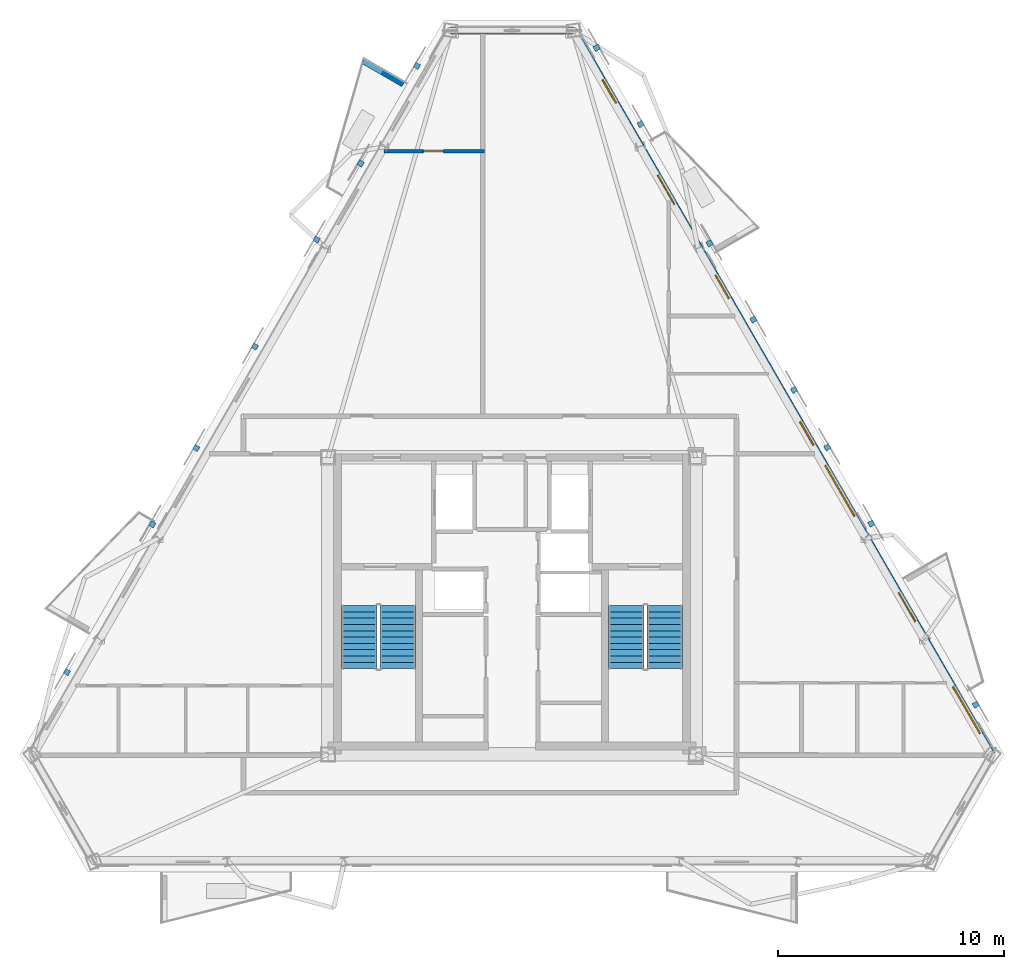
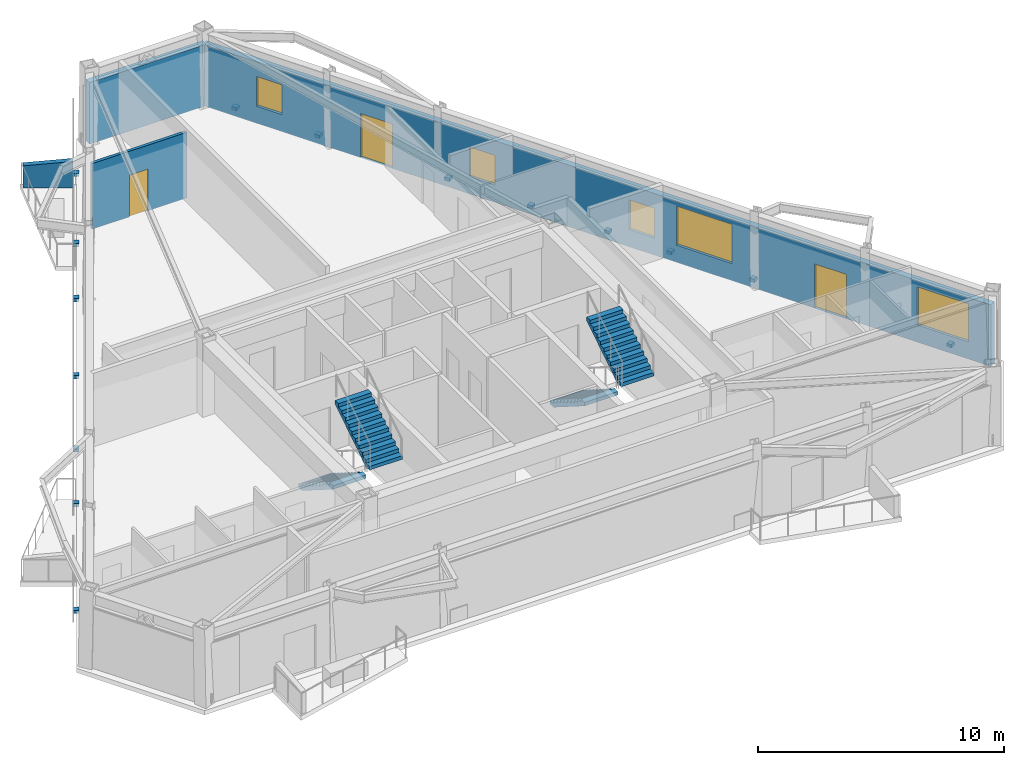
# One storey, part 5 of 9: 15 discrete accessories, 5 windows, 4 stair flights, 4 walls, 3 doors, 8 openings, 2 elements without a shape of their own.
"""IFC4 building model written with IfcOpenShell, lengths in metres."""

from ifc_helpers import new_model, si_unit, direction, frame, frame_2d, origin, origin_2d, place, context, subcontext, project, spatial, polyline, rectangle, outline, extrude, material, layer, layer_set, type_object, element, fill, aggregate, save


model = new_model("IFC4")

# Units and contexts
model_context = context("Model", 3, precision=1e-05, world=origin(), true_north=direction((0.0, 1.0)))
body_context = subcontext(model_context, "Body", "Model", "MODEL_VIEW")
ifc_project = project(units=[si_unit("LENGTHUNIT", "METRE"), si_unit("AREAUNIT", "SQUARE_METRE"), si_unit("VOLUMEUNIT", "CUBIC_METRE"), si_unit("PLANEANGLEUNIT", "RADIAN"), si_unit("MASSUNIT", "GRAM", prefix="KILO")], contexts=[model_context])

# Site, building, storey
site_placement = place(None, origin())
site = spatial("IfcSite", under=ifc_project, at=site_placement, CompositionType="ELEMENT")
building_placement = place(site_placement, origin())
building = spatial("IfcBuilding", under=site, at=building_placement, Name="Oramaril Tower", CompositionType="ELEMENT")
storey_placement = place(building_placement, frame((0.0, 0.0, 249.89990234375)))
storey = spatial("IfcBuildingStorey", under=building, at=storey_placement, Name="L66", CompositionType="ELEMENT", Elevation=249.89990234375)

# Wall, openings, doors, windows
ifc_material_1 = material(Name="Warm Cream Limestone", Category="masonry")
ifc_layer_1 = layer(ifc_material_1, 0.2900390625)
ifc_layer_set_1 = layer_set([ifc_layer_1], Name="WT-EXT29")
wall_type_1 = type_object("IfcWallType", Name="WT-EXT29", PredefinedType="SOLIDWALL", material=ifc_layer_set_1)
wall_1_placement = place(storey_placement, frame((58.7744140625, 10.990478515625, 0.0), z_axis=(0.0, 0.0, 1.0), x_axis=(-0.499994896969, 0.866028350001, 0.0)))
wall_1 = element("IfcWall", 1, at=wall_1_placement, inside=storey, type_object=wall_type_1, Name="L66 Tower Limestone Facade Wall 4M", PredefinedType="SOLIDWALL", context=body_context, shape_type="SweptSolid", body=[
    extrude(rectangle(XDim=37.052734375, YDim=0.2900390625, at=frame_2d((18.5263671875, 0.0))), origin(), (0.0, 0.0, 1.0), 3.05810546875),
])
opening_1_placement = place(wall_1_placement, frame((6.789306640625, 0.0, 0.0)))
opening_1 = element("IfcOpeningElement", 2, at=opening_1_placement, cuts=wall_1, Name="Opening D-L66-BAL-NE1", PredefinedType="OPENING", context=body_context, shape_type="SweptSolid", body=[
    extrude(rectangle(XDim=1.5, YDim=2.199951171875, at=frame_2d((0.75, 1.10009765625))), frame((0.0, 0.14501953125, 0.0), z_axis=(0.0, -1.0, 0.0), x_axis=(1.0, 0.0, 0.0)), (0.0, 0.0, 1.0), 0.2900390625),
])
opening_2_placement = place(wall_1_placement, frame((28.148193359375, 0.0, 0.0)))
opening_2 = element("IfcOpeningElement", 3, at=opening_2_placement, cuts=wall_1, Name="Opening D-L66-BAL-NE2", PredefinedType="OPENING", context=body_context, shape_type="SweptSolid", body=[
    extrude(rectangle(XDim=1.5, YDim=2.199951171875, at=frame_2d((0.75, 1.10009765625))), frame((0.0, 0.14501953125, 0.0), z_axis=(0.0, -1.0, 0.0), x_axis=(1.0, 0.0, 0.0)), (0.0, 0.0, 1.0), 0.2900390625),
])
opening_3_placement = place(wall_1_placement, frame((12.18408203125, 0.0, 0.85009765625)))
opening_3 = element("IfcOpeningElement", 4, at=opening_3_placement, cuts=wall_1, Name="Opening WN-02", PredefinedType="OPENING", context=body_context, shape_type="SweptSolid", body=[
    extrude(rectangle(XDim=2.60009765625, YDim=1.949951171875, at=frame_2d((1.300048828125, 0.97509765625))), frame((0.0, 0.14501953125, 0.0), z_axis=(0.0, -1.0, 0.0), x_axis=(1.0, 0.0, 0.0)), (0.0, 0.0, 1.0), 0.2900390625),
])
opening_4_placement = place(wall_1_placement, frame((1.06591796875, 0.0, 0.85009765625)))
opening_4 = element("IfcOpeningElement", 5, at=opening_4_placement, cuts=wall_1, Name="Opening WN-03", PredefinedType="OPENING", context=body_context, shape_type="SweptSolid", body=[
    extrude(rectangle(XDim=2.39990234375, YDim=1.89990234375, at=frame_2d((1.199951171875, 0.949951171875))), frame((0.0, 0.14501953125, 0.0), z_axis=(0.0, -1.0, 0.0), x_axis=(1.0, 0.0, 0.0)), (0.0, 0.0, 1.0), 0.2900390625),
])
opening_5_placement = place(wall_1_placement, frame((33.328125, 0.0, 0.85009765625)))
opening_5 = element("IfcOpeningElement", 6, at=opening_5_placement, cuts=wall_1, Name="Opening WN-09", PredefinedType="OPENING", context=body_context, shape_type="SweptSolid", body=[
    extrude(rectangle(XDim=1.199951171875, YDim=1.47998046875, at=frame_2d((0.60009765625, 0.739990234375))), frame((0.0, 0.14501953125, 0.0), z_axis=(0.0, -1.0, 0.0), x_axis=(1.0, 0.0, 0.0)), (0.0, 0.0, 1.0), 0.2900390625),
])
opening_6_placement = place(wall_1_placement, frame((15.82177734375, 0.0, 0.85009765625)))
opening_6 = element("IfcOpeningElement", 7, at=opening_6_placement, cuts=wall_1, Name="Opening WN-09", PredefinedType="OPENING", context=body_context, shape_type="SweptSolid", body=[
    extrude(rectangle(XDim=1.199951171875, YDim=1.47998046875, at=frame_2d((0.60009765625, 0.739990234375))), frame((0.0, 0.14501953125, 0.0), z_axis=(0.0, -1.0, 0.0), x_axis=(1.0, 0.0, 0.0)), (0.0, 0.0, 1.0), 0.2900390625),
])
opening_7_placement = place(wall_1_placement, frame((23.3271484375, 0.0, 0.85009765625)))
opening_7 = element("IfcOpeningElement", 8, at=opening_7_placement, cuts=wall_1, Name="Opening WN-09", PredefinedType="OPENING", context=body_context, shape_type="SweptSolid", body=[
    extrude(rectangle(XDim=1.199951171875, YDim=1.47998046875, at=frame_2d((0.60009765625, 0.739990234375))), frame((0.0, 0.14501953125, 0.0), z_axis=(0.0, -1.0, 0.0), x_axis=(1.0, 0.0, 0.0)), (0.0, 0.0, 1.0), 0.2900390625),
])
ifc_material_2 = material(Name="Anodised Aluminium 6063-T6", Category="aluminium")
door_type_1 = type_object("IfcDoorType", Name="DT-BAL", OperationType="NOTDEFINED", PredefinedType="DOOR", material=ifc_material_2)
door_1_placement = place(opening_1_placement, origin())
door_1 = element("IfcDoor", 9, at=door_1_placement, inside=storey, type_object=door_type_1, Name="L66 Balcony Glazed Door L66-BAL-NE1", OperationType="SINGLE_SWING_LEFT", OverallHeight=2.199951171875, OverallWidth=1.5, PredefinedType="DOOR", context=body_context, shape_type="SweptSolid", body=[
    extrude(rectangle(XDim=1.5, YDim=2.199951171875, at=frame_2d((0.75, 1.10009765625))), frame((0.0, 0.02490234375, 0.0), z_axis=(0.0, -1.0, 0.0), x_axis=(1.0, 0.0, 0.0)), (0.0, 0.0, 1.0), 0.050048828125),
])
fill(opening_1, door_1)
door_2_placement = place(opening_2_placement, origin())
door_2 = element("IfcDoor", 10, at=door_2_placement, inside=storey, type_object=door_type_1, Name="L66 Balcony Glazed Door L66-BAL-NE2", OperationType="SINGLE_SWING_RIGHT", OverallHeight=2.199951171875, OverallWidth=1.5, PredefinedType="DOOR", context=body_context, shape_type="SweptSolid", body=[
    extrude(rectangle(XDim=1.5, YDim=2.199951171875, at=frame_2d((0.75, 1.10009765625))), frame((0.0, 0.02490234375, 0.0), z_axis=(0.0, -1.0, 0.0), x_axis=(1.0, 0.0, 0.0)), (0.0, 0.0, 1.0), 0.050048828125),
])
fill(opening_2, door_2)
ifc_material_3 = material(Name="Coastal Low-E Insulated Glass", Category="glass")
window_type_1 = type_object("IfcWindowType", Name="WNT-02", PartitioningType="SINGLE_PANEL", PredefinedType="WINDOW", material=ifc_material_3)
window_1_placement = place(opening_3_placement, origin())
window_1 = element("IfcWindow", 11, at=window_1_placement, inside=storey, type_object=window_type_1, Name="L66 Chicago Bay Window WN-02", OverallHeight=1.949951171875, OverallWidth=2.60009765625, PartitioningType="SINGLE_PANEL", PredefinedType="WINDOW", context=body_context, shape_type="SweptSolid", body=[
    extrude(rectangle(XDim=2.60009765625, YDim=1.949951171875, at=frame_2d((1.300048828125, 0.97509765625))), frame((0.0, 0.030029296875, 0.0), z_axis=(0.0, -1.0, 0.0), x_axis=(1.0, 0.0, 0.0)), (0.0, 0.0, 1.0), 0.06005859375),
])
fill(opening_3, window_1)
ifc_material_4 = material(Name="Coastal Low-E Insulated Glass", Category="glass")
window_type_2 = type_object("IfcWindowType", Name="WNT-03", PartitioningType="SINGLE_PANEL", PredefinedType="WINDOW", material=ifc_material_4)
window_2_placement = place(opening_4_placement, origin())
window_2 = element("IfcWindow", 12, at=window_2_placement, inside=storey, type_object=window_type_2, Name="L66 Chicago Bay Window WN-03", OverallHeight=1.89990234375, OverallWidth=2.39990234375, PartitioningType="SINGLE_PANEL", PredefinedType="WINDOW", context=body_context, shape_type="SweptSolid", body=[
    extrude(rectangle(XDim=2.39990234375, YDim=1.89990234375, at=frame_2d((1.199951171875, 0.949951171875))), frame((0.0, 0.030029296875, 0.0), z_axis=(0.0, -1.0, 0.0), x_axis=(1.0, 0.0, 0.0)), (0.0, 0.0, 1.0), 0.06005859375),
])
fill(opening_4, window_2)
ifc_material_5 = material(Name="Coastal Low-E Insulated Glass", Category="glass")
window_type_3 = type_object("IfcWindowType", Name="WNT-09", PartitioningType="SINGLE_PANEL", PredefinedType="WINDOW", material=ifc_material_5)
window_3_placement = place(opening_5_placement, origin())
window_3 = element("IfcWindow", 13, at=window_3_placement, inside=storey, type_object=window_type_3, Name="L66 Chicago Bay Window WN-09", OverallHeight=1.47998046875, OverallWidth=1.199951171875, PartitioningType="SINGLE_PANEL", PredefinedType="WINDOW", context=body_context, shape_type="SweptSolid", body=[
    extrude(rectangle(XDim=1.199951171875, YDim=1.47998046875, at=frame_2d((0.60009765625, 0.739990234375))), frame((0.0, 0.030029296875, 0.0), z_axis=(0.0, -1.0, 0.0), x_axis=(1.0, 0.0, 0.0)), (0.0, 0.0, 1.0), 0.06005859375),
])
fill(opening_5, window_3)
window_4_placement = place(opening_6_placement, origin())
window_4 = element("IfcWindow", 14, at=window_4_placement, inside=storey, type_object=window_type_3, Name="L66 Chicago Bay Window WN-09", OverallHeight=1.47998046875, OverallWidth=1.199951171875, PartitioningType="SINGLE_PANEL", PredefinedType="WINDOW", context=body_context, shape_type="SweptSolid", body=[
    extrude(rectangle(XDim=1.199951171875, YDim=1.47998046875, at=frame_2d((0.60009765625, 0.739990234375))), frame((0.0, 0.030029296875, 0.0), z_axis=(0.0, -1.0, 0.0), x_axis=(1.0, 0.0, 0.0)), (0.0, 0.0, 1.0), 0.06005859375),
])
fill(opening_6, window_4)
window_5_placement = place(opening_7_placement, origin())
window_5 = element("IfcWindow", 15, at=window_5_placement, inside=storey, type_object=window_type_3, Name="L66 Chicago Bay Window WN-09", OverallHeight=1.47998046875, OverallWidth=1.199951171875, PartitioningType="SINGLE_PANEL", PredefinedType="WINDOW", context=body_context, shape_type="SweptSolid", body=[
    extrude(rectangle(XDim=1.199951171875, YDim=1.47998046875, at=frame_2d((0.60009765625, 0.739990234375))), frame((0.0, 0.030029296875, 0.0), z_axis=(0.0, -1.0, 0.0), x_axis=(1.0, 0.0, 0.0)), (0.0, 0.0, 1.0), 0.06005859375),
])
fill(opening_7, window_5)

# Walls
wall_2_placement = place(storey_placement, frame((40.248291015625, 43.0791015625, 0.0), z_axis=(0.0, 0.0, 1.0), x_axis=(-1.0, 0.0, 0.0)))
element("IfcWall", 16, at=wall_2_placement, inside=storey, type_object=wall_type_1, Name="L66 Tower Limestone Facade Wall 5M", PredefinedType="SOLIDWALL", context=body_context, shape_type="SweptSolid", body=[
    extrude(rectangle(XDim=5.49658203125, YDim=0.2900390625, at=frame_2d((2.748291015625, 0.0))), origin(), (0.0, 0.0, 1.0), 3.05810546875),
])
ifc_material_6 = material(Name="Concrete C40/50", Category="concrete")
ifc_layer_2 = layer(ifc_material_6, 0.22998046875)
ifc_layer_set_2 = layer_set([ifc_layer_2], Name="WT-PRP23")
wall_type_2 = type_object("IfcWallType", Name="WT-PRP23", PredefinedType="PARAPET", material=ifc_layer_set_2)
wall_3_placement = place(storey_placement, frame((32.6767578125, 40.680908203125, 0.0), z_axis=(0.0, 0.0, 1.0), x_axis=(-0.866042246008, 0.499970827278, 0.0)))
element("IfcWall", 17, at=wall_3_placement, inside=storey, type_object=wall_type_2, Name="L66 Trapezoidal Balcony Frame Cheek L66-BAL-NW1-L", PredefinedType="PARAPET", context=body_context, shape_type="SweptSolid", body=[
    extrude(outline(polyline([(0.0, 0.0), (2.0419921875, 0.0), (2.0419921875, 1.10009765625), (0.0, 1.320068359375), (0.0, 0.0)])), frame((0.0, 0.114990234375, 0.0), z_axis=(0.0, -1.0, 0.0), x_axis=(1.0, 0.0, 0.0)), (0.0, 0.0, 1.0), 0.22998046875),
])

# Wall, opening, door
ifc_material_7 = material(Name="Acoustic Gypsum Board Partition")
ifc_layer_3 = layer(ifc_material_7, 0.139892578125)
ifc_layer_set_3 = layer_set([ifc_layer_3], Name="WT-PT14")
wall_type_3 = type_object("IfcWallType", Name="WT-PT14", PredefinedType="PARTITIONING", material=ifc_layer_set_3)
wall_4_placement = place(storey_placement, frame((31.829833984375, 37.719970703125, 0.0), z_axis=(0.0, 0.0, 1.0), x_axis=(1.0, 0.0, 0.0)))
wall_4 = element("IfcWall", 18, at=wall_4_placement, inside=storey, type_object=wall_type_3, Name="L66 Interior Partition PT-14", PredefinedType="PARTITIONING", context=body_context, shape_type="SweptSolid", body=[
    extrude(rectangle(XDim=4.4521484375, YDim=0.139892578125, at=frame_2d((2.22607421875, 0.0))), origin(), (0.0, 0.0, 1.0), 3.26611328125),
])
opening_8_placement = place(wall_4_placement, frame((1.74462890625, 0.0, 0.0)))
opening_8 = element("IfcOpeningElement", 19, at=opening_8_placement, cuts=wall_4, Name="Opening D-L66-12", PredefinedType="OPENING", context=body_context, shape_type="SweptSolid", body=[
    extrude(rectangle(XDim=0.8798828125, YDim=2.080078125, at=frame_2d((0.43994140625, 1.0400390625))), frame((0.0, 0.06982421875, 0.0), z_axis=(0.0, -1.0, 0.0), x_axis=(1.0, 0.0, 0.0)), (0.0, 0.0, 1.0), 0.139892578125),
])
ifc_material_8 = material(Name="FSC Brazilian Freijo Hardwood", Category="wood")
door_type_2 = type_object("IfcDoorType", Name="DT-BATH", OperationType="NOTDEFINED", PredefinedType="DOOR", material=ifc_material_8)
door_3_placement = place(opening_8_placement, origin())
door_3 = element("IfcDoor", 20, at=door_3_placement, inside=storey, type_object=door_type_2, Name="L66 Flat L66-U4 Bathroom Door D-L66-12", OperationType="SINGLE_SWING_LEFT", OverallHeight=2.080078125, OverallWidth=0.8798828125, PredefinedType="DOOR", context=body_context, shape_type="SweptSolid", body=[
    extrude(rectangle(XDim=0.8798828125, YDim=2.080078125, at=frame_2d((0.43994140625, 1.0400390625))), frame((0.0, 0.02490234375, 0.0), z_axis=(0.0, -1.0, 0.0), x_axis=(1.0, 0.0, 0.0)), (0.0, 0.0, 1.0), 0.050048828125),
])
fill(opening_8, door_3)

# Stair, stair flights
ifc_material_9 = material(Name="Concrete C50/60", Category="concrete")
stair_type = type_object("IfcStairType", Name="STT-DG-3900", PredefinedType="HALF_TURN_STAIR", material=ifc_material_9)
stair_1_placement = place(storey_placement, origin())
stair_1 = element("IfcStair", 21, at=stair_1_placement, inside=storey, type_object=stair_type, Name="L66 Protected PFP Exit Stair ST-1", PredefinedType="HALF_TURN_STAIR")
ifc_material_10 = material(Name="Concrete C50/60", Category="concrete")
stair_flight_type = type_object("IfcStairFlightType", Name="SFT-DG-3900", PredefinedType="STRAIGHT", material=ifc_material_10)
stair_flight_1_placement = place(storey_placement, frame((30.72998046875, 17.590087890625, 0.0), z_axis=(0.0, 0.0, 1.0), x_axis=(0.0, -1.0, 0.0)))
stair_flight_1 = element("IfcStairFlight", 22, at=stair_flight_1_placement, type_object=stair_flight_type, Name="ST-1 flight 1", NumberOfRisers=11, NumberOfTreads=10, PredefinedType="STRAIGHT", RiserHeight=0.177272727, TreadLength=0.28, context=body_context, shape_type="SweptSolid", body=[
    extrude(outline(polyline([(0.0, 0.0), (0.0, 0.17724609375), (0.280029296875, 0.17724609375), (0.280029296875, 0.3544921875), (0.56005859375, 0.3544921875), (0.56005859375, 0.53173828125), (0.840087890625, 0.53173828125), (0.840087890625, 0.708984375), (1.1201171875, 0.708984375), (1.1201171875, 0.886474609375), (1.39990234375, 0.886474609375), (1.39990234375, 1.063720703125), (1.679931640625, 1.063720703125), (1.679931640625, 1.240966796875), (1.9599609375, 1.240966796875), (1.9599609375, 1.418212890625), (2.239990234375, 1.418212890625), (2.239990234375, 1.595458984375), (2.52001953125, 1.595458984375), (2.52001953125, 1.772705078125), (2.800048828125, 1.772705078125), (2.800048828125, 1.949951171875), (2.800048828125, 1.59521484375), (0.2802734375, 0.0), (0.0, 0.0)])), frame((0.0, 0.780029296875, 0.0), z_axis=(0.0, -1.0, 0.0), x_axis=(1.0, 0.0, 0.0)), (0.0, 0.0, 1.0), 1.56005859375),
])
stair_flight_2_placement = place(storey_placement, frame((32.43994140625, 14.7900390625, 1.9501953125), z_axis=(0.0, 0.0, 1.0), x_axis=(0.0, 1.0, 0.0)))
stair_flight_2 = element("IfcStairFlight", 23, at=stair_flight_2_placement, type_object=stair_flight_type, Name="ST-1 flight 2", NumberOfRisers=11, NumberOfTreads=10, PredefinedType="STRAIGHT", RiserHeight=0.177272727, TreadLength=0.28, context=body_context, shape_type="SweptSolid", body=[
    extrude(outline(polyline([(0.0, 0.0), (0.0, 0.17724609375), (0.280029296875, 0.17724609375), (0.280029296875, 0.3544921875), (0.56005859375, 0.3544921875), (0.56005859375, 0.53173828125), (0.840087890625, 0.53173828125), (0.840087890625, 0.708984375), (1.1201171875, 0.708984375), (1.1201171875, 0.886474609375), (1.39990234375, 0.886474609375), (1.39990234375, 1.063720703125), (1.679931640625, 1.063720703125), (1.679931640625, 1.240966796875), (1.9599609375, 1.240966796875), (1.9599609375, 1.418212890625), (2.239990234375, 1.418212890625), (2.239990234375, 1.595458984375), (2.52001953125, 1.595458984375), (2.52001953125, 1.772705078125), (2.800048828125, 1.772705078125), (2.800048828125, 1.949951171875), (2.800048828125, 1.59521484375), (0.2802734375, 0.0), (0.0, 0.0)])), frame((0.0, 0.780029296875, 0.0), z_axis=(0.0, -1.0, 0.0), x_axis=(1.0, 0.0, 0.0)), (0.0, 0.0, 1.0), 1.56005859375),
])
aggregate(stair_1, [stair_flight_1, stair_flight_2])

stair_2_placement = place(storey_placement, origin())
stair_2 = element("IfcStair", 24, at=stair_2_placement, inside=storey, type_object=stair_type, Name="L66 Protected PFP Exit Stair ST-2", PredefinedType="HALF_TURN_STAIR")
stair_flight_3_placement = place(storey_placement, frame((42.56005859375, 17.590087890625, 0.0), z_axis=(0.0, 0.0, 1.0), x_axis=(0.0, -1.0, 0.0)))
stair_flight_3 = element("IfcStairFlight", 25, at=stair_flight_3_placement, type_object=stair_flight_type, Name="ST-2 flight 1", NumberOfRisers=11, NumberOfTreads=10, PredefinedType="STRAIGHT", RiserHeight=0.177272727, TreadLength=0.28, context=body_context, shape_type="SweptSolid", body=[
    extrude(outline(polyline([(0.0, 0.0), (0.0, 0.17724609375), (0.280029296875, 0.17724609375), (0.280029296875, 0.3544921875), (0.56005859375, 0.3544921875), (0.56005859375, 0.53173828125), (0.840087890625, 0.53173828125), (0.840087890625, 0.708984375), (1.1201171875, 0.708984375), (1.1201171875, 0.886474609375), (1.39990234375, 0.886474609375), (1.39990234375, 1.063720703125), (1.679931640625, 1.063720703125), (1.679931640625, 1.240966796875), (1.9599609375, 1.240966796875), (1.9599609375, 1.418212890625), (2.239990234375, 1.418212890625), (2.239990234375, 1.595458984375), (2.52001953125, 1.595458984375), (2.52001953125, 1.772705078125), (2.800048828125, 1.772705078125), (2.800048828125, 1.949951171875), (2.800048828125, 1.59521484375), (0.2802734375, 0.0), (0.0, 0.0)])), frame((0.0, 0.780029296875, 0.0), z_axis=(0.0, -1.0, 0.0), x_axis=(1.0, 0.0, 0.0)), (0.0, 0.0, 1.0), 1.56005859375),
])
stair_flight_4_placement = place(storey_placement, frame((44.27001953125, 14.7900390625, 1.9501953125), z_axis=(0.0, 0.0, 1.0), x_axis=(0.0, 1.0, 0.0)))
stair_flight_4 = element("IfcStairFlight", 26, at=stair_flight_4_placement, type_object=stair_flight_type, Name="ST-2 flight 2", NumberOfRisers=11, NumberOfTreads=10, PredefinedType="STRAIGHT", RiserHeight=0.177272727, TreadLength=0.28, context=body_context, shape_type="SweptSolid", body=[
    extrude(outline(polyline([(0.0, 0.0), (0.0, 0.17724609375), (0.280029296875, 0.17724609375), (0.280029296875, 0.3544921875), (0.56005859375, 0.3544921875), (0.56005859375, 0.53173828125), (0.840087890625, 0.53173828125), (0.840087890625, 0.708984375), (1.1201171875, 0.708984375), (1.1201171875, 0.886474609375), (1.39990234375, 0.886474609375), (1.39990234375, 1.063720703125), (1.679931640625, 1.063720703125), (1.679931640625, 1.240966796875), (1.9599609375, 1.240966796875), (1.9599609375, 1.418212890625), (2.239990234375, 1.418212890625), (2.239990234375, 1.595458984375), (2.52001953125, 1.595458984375), (2.52001953125, 1.772705078125), (2.800048828125, 1.772705078125), (2.800048828125, 1.949951171875), (2.800048828125, 1.59521484375), (0.2802734375, 0.0), (0.0, 0.0)])), frame((0.0, 0.780029296875, 0.0), z_axis=(0.0, -1.0, 0.0), x_axis=(1.0, 0.0, 0.0)), (0.0, 0.0, 1.0), 1.56005859375),
])
aggregate(stair_2, [stair_flight_3, stair_flight_4])

# Discrete accessories
for number, where, z_axis, x_axis, name in (
    (27, (53.423095703125, 21.219482421875, -0.1396484375), (0.0, 0.0, 1.0), (-0.4999984885, 0.866026276448, 0.0), "L66 Solar Screen Slab Bracket"),
    (28, (51.472900390625, 24.596923828125, -0.1396484375), (0.0, 0.0, 1.0), (-0.4999984885, 0.866026276448, 0.0), "L66 Solar Screen Slab Bracket"),
    (29, (58.05712890625, 13.19287109375, -0.1396484375), (0.0, 0.0, 1.0), (-0.4999984885, 0.866026276448, 0.0), "L66 Solar Screen Slab Bracket"),
    (30, (43.201171875, 38.92431640625, -0.1396484375), (0.0, 0.0, 1.0), (-0.4999984885, 0.866026276448, 0.0), "L66 Solar Screen Slab Bracket"),
    (31, (41.251220703125, 42.302001953125, -0.1396484375), (0.0, 0.0, 1.0), (-0.4999984885, 0.866026276448, 0.0), "L66 Solar Screen Slab Bracket"),
    (32, (50.004150390625, 27.14111328125, -0.1396484375), (0.0, 0.0, 1.0), (-0.4999984885, 0.866026276448, 0.0), "L66 Solar Screen Slab Bracket"),
    (33, (48.201416015625, 30.26318359375, -0.1396484375), (0.0, 0.0, 1.0), (-0.4999984885, 0.866026276448, 0.0), "L66 Solar Screen Slab Bracket"),
    (34, (46.251708984375, 33.640869140625, -0.1396484375), (0.0, 0.0, 1.0), (-0.4999984885, 0.866026276448, 0.0), "L66 Solar Screen Slab Bracket"),
    (35, (23.509765625, 24.56689453125, -0.1396484375), (0.0, 0.0, 1.0), (-0.4999984885, -0.866026276448, 0.0), "L66 Solar Screen Slab Bracket"),
    (36, (21.559814453125, 21.189453125, -0.1396484375), (0.0, 0.0, 1.0), (-0.4999984885, -0.866026276448, 0.0), "L66 Solar Screen Slab Bracket"),
    (37, (17.775390625, 14.635009765625, -0.1396484375), (0.0, 0.0, 1.0), (-0.4999984885, -0.866026276448, 0.0), "L66 Solar Screen Slab Bracket"),
    (38, (30.793701171875, 37.183349609375, -0.1396484375), (0.0, 0.0, 1.0), (-0.4999984885, -0.866026276448, 0.0), "L66 Solar Screen Slab Bracket"),
    (39, (28.84375, 33.805908203125, -0.1396484375), (0.0, 0.0, 1.0), (-0.4999984885, -0.866026276448, 0.0), "L66 Solar Screen Slab Bracket"),
    (40, (26.106201171875, 29.064453125, -0.1396484375), (0.0, 0.0, 1.0), (-0.4999984885, -0.866026276448, 0.0), "L66 Solar Screen Slab Bracket"),
    (41, (33.2890625, 41.505615234375, -0.1396484375), (0.0, 0.0, 1.0), (-0.4999984885, -0.866026276448, 0.0), "L66 Solar Screen Slab Bracket"),
):
    element("IfcDiscreteAccessory", number, at=place(storey_placement, frame(where, z_axis=z_axis, x_axis=x_axis)), inside=storey, Name=name, PredefinedType="BRACKET", context=body_context, shape_type="SweptSolid", body=[
        extrude(rectangle(XDim=0.239990234375, YDim=0.239990234375, at=origin_2d()), origin(), (0.0, 0.0, 1.0), 0.159912109375),
    ])

save(model, "model.ifc")
